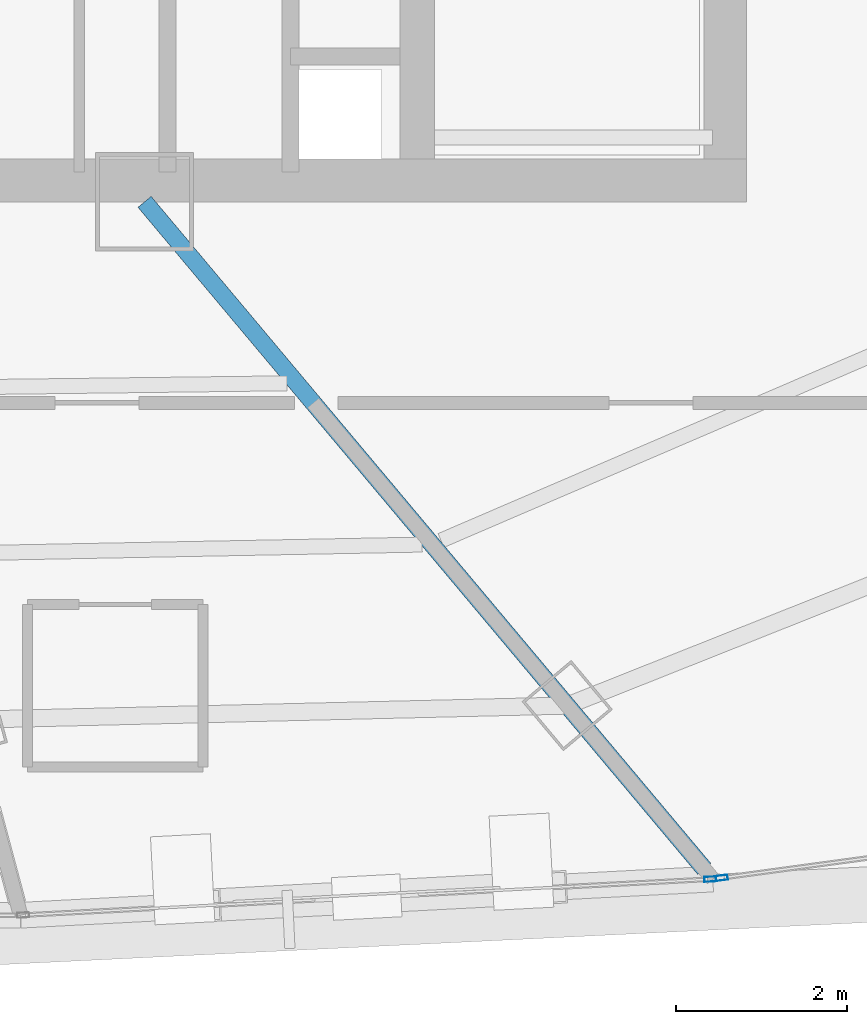
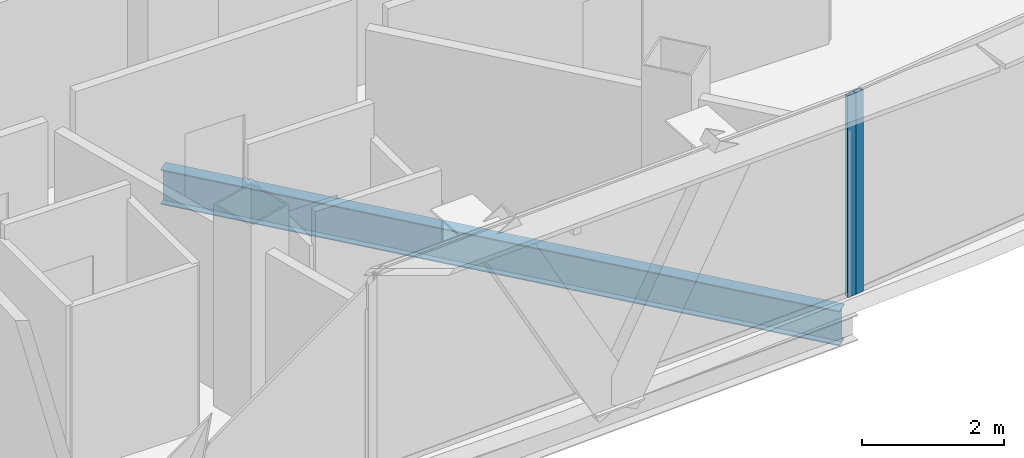
# One storey, part 12 of 39: 2 members, 1 beam, 2 elements without a shape of their own.
"""IFC4 building model written with IfcOpenShell, lengths in metres."""

from ifc_helpers import new_model, si_unit, direction, frame, origin, origin_2d, place, context, subcontext, project, spatial, hollow_rectangle, i_section, extrude, source, transform, mapped, material, layer, layer_set, material_profile, profile_set, type_object, element, aggregate, save


model = new_model("IFC4")

# Units and contexts
model_context = context("Model", 3, precision=1e-05, world=origin(), true_north=direction((0.0, 1.0)))
body_context = subcontext(model_context, "Body", "Model", "MODEL_VIEW")
ifc_project = project(units=[si_unit("LENGTHUNIT", "METRE"), si_unit("AREAUNIT", "SQUARE_METRE"), si_unit("VOLUMEUNIT", "CUBIC_METRE"), si_unit("PLANEANGLEUNIT", "RADIAN"), si_unit("MASSUNIT", "GRAM", prefix="KILO"), si_unit("THERMODYNAMICTEMPERATUREUNIT", "KELVIN"), si_unit("POWERUNIT", "WATT")], contexts=[model_context])

# Site, building, storey
site_placement = place(None, origin())
site = spatial("IfcSite", under=ifc_project, at=site_placement, CompositionType="ELEMENT")
building_placement = place(site_placement, origin())
building = spatial("IfcBuilding", under=site, at=building_placement, Name="Yunzhuo Pagoda Commons", CompositionType="ELEMENT")
storey_placement = place(building_placement, frame((0.0, 0.0, 296.2099609375)))
storey = spatial("IfcBuildingStorey", under=building, at=storey_placement, Name="L74", CompositionType="ELEMENT", Elevation=296.2099609375)

# Beam
ifc_material_1 = material(Name="Structural steel Q355B", Category="steel")
ifc_material_profile_1 = material_profile(ifc_material_1, i_section(OverallWidth=0.199951171875, OverallDepth=0.60009765625, WebThickness=0.010986328125, FlangeThickness=0.01708984375, at=origin_2d()), Name="Structural steel Q355B")
ifc_profile_set_1 = profile_set([ifc_material_profile_1], Name="Structural steel Q355B")
beam_type = type_object("IfcBeamType", Name="B-RG3 Beam HN 600x200x11x17", PredefinedType="BEAM", material=ifc_profile_set_1)
shared_shape_1 = source(origin(), body_context, "Body", "SweptSolid", [
    extrude(i_section(OverallWidth=0.199951171875, OverallDepth=0.60009765625, WebThickness=0.010986328125, FlangeThickness=0.01708984375, at=origin_2d()), origin(), (0.0, 0.0, 1.0), 10.179443359375),
])
beam_placement = place(storey_placement, frame((59.955322265625, 19.4521484375, -0.56005859375), z_axis=(-0.642789830325, 0.766042579776, 0.0), x_axis=(-0.766042579776, -0.642789830325, 0.0)))
element("IfcBeam", 1, at=beam_placement, inside=storey, type_object=beam_type, Name="L74 radial floor girder F1C4", PredefinedType="BEAM", context=body_context, shape_type="MappedRepresentation", body=[
    mapped(shared_shape_1, transform((0.0, 0.0, 0.0), scale=1.0)),
])

# Curtain wall, member
ifc_material_2 = material(Name="Anodized aluminium 6063-T6", Category="aluminium")
ifc_layer = layer(ifc_material_2, 0.139892578125)
ifc_layer_set = layer_set([ifc_layer], Name="Anodized aluminium 6063-T6")
curtain_wall_type = type_object("IfcCurtainWallType", Name="CW-HI High-Zone Ribbon Curtain Wall", PredefinedType="NOTDEFINED", material=ifc_layer_set)
curtain_wall_1_placement = place(storey_placement, origin())
curtain_wall_1 = element("IfcCurtainWall", 2, at=curtain_wall_1_placement, inside=storey, type_object=curtain_wall_type, Name="L74 curtain wall CW-L74-F1B4", PredefinedType="NOTDEFINED")
ifc_material_profile_2 = material_profile(ifc_material_2, hollow_rectangle(XDim=0.06005859375, YDim=0.139892578125, WallThickness=0.00341796875, at=origin_2d()), Name="Anodized aluminium 6063-T6")
ifc_profile_set_2 = profile_set([ifc_material_profile_2], Name="Anodized aluminium 6063-T6")
member_type = type_object("IfcMemberType", Name="CW-HI-M Mullion RHS 140x60x3.5", PredefinedType="MULLION", material=ifc_profile_set_2)
shared_shape_2 = source(origin(), body_context, "Body", "SweptSolid", [
    extrude(hollow_rectangle(XDim=0.06005859375, YDim=0.139892578125, WallThickness=0.00341796875, at=origin_2d()), origin(), (0.0, 0.0, 1.0), 3.469970703125),
])
member_1_placement = place(storey_placement, frame((60.02490234375, 19.33203125, 0.0), z_axis=(0.0, 0.0, 1.0), x_axis=(-0.052189625547, 0.998637192871, 0.0)))
member_1 = element("IfcMember", 3, at=member_1_placement, type_object=member_type, Name="CW mullion 2", PredefinedType="MULLION", context=body_context, shape_type="MappedRepresentation", body=[
    mapped(shared_shape_2, transform((0.0, 0.0, 0.0), scale=1.0)),
])
aggregate(curtain_wall_1, [member_1])

curtain_wall_2_placement = place(storey_placement, origin())
curtain_wall_2 = element("IfcCurtainWall", 4, at=curtain_wall_2_placement, inside=storey, type_object=curtain_wall_type, Name="L74 curtain wall CW-L74-F1B5", PredefinedType="NOTDEFINED")
member_2_placement = place(storey_placement, frame((60.1591796875, 19.34765625, 0.0), z_axis=(0.0, 0.0, 1.0), x_axis=(-0.134853980826, 0.99086548222, 0.0)))
member_2 = element("IfcMember", 5, at=member_2_placement, type_object=member_type, Name="CW mullion 1", PredefinedType="MULLION", context=body_context, shape_type="MappedRepresentation", body=[
    mapped(shared_shape_2, transform((0.0, 0.0, 0.0), scale=1.0)),
])
aggregate(curtain_wall_2, [member_2])

save(model, "model.ifc")
